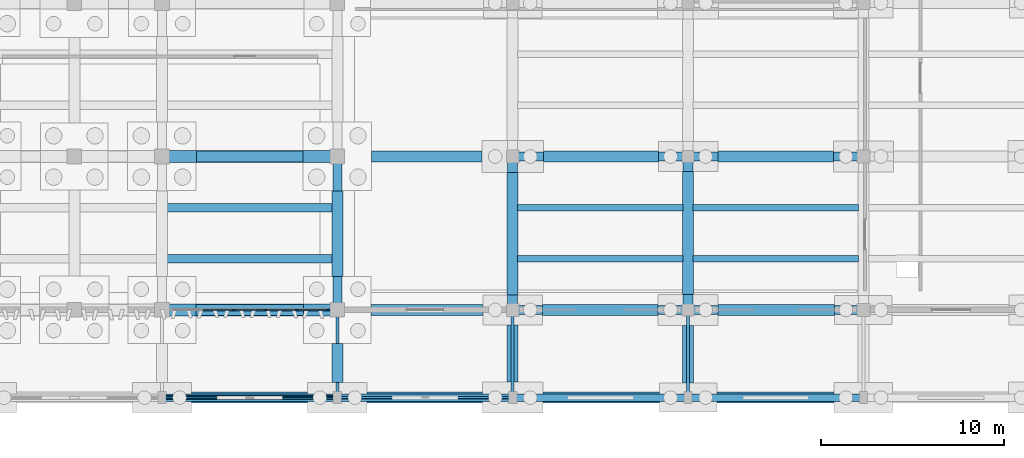
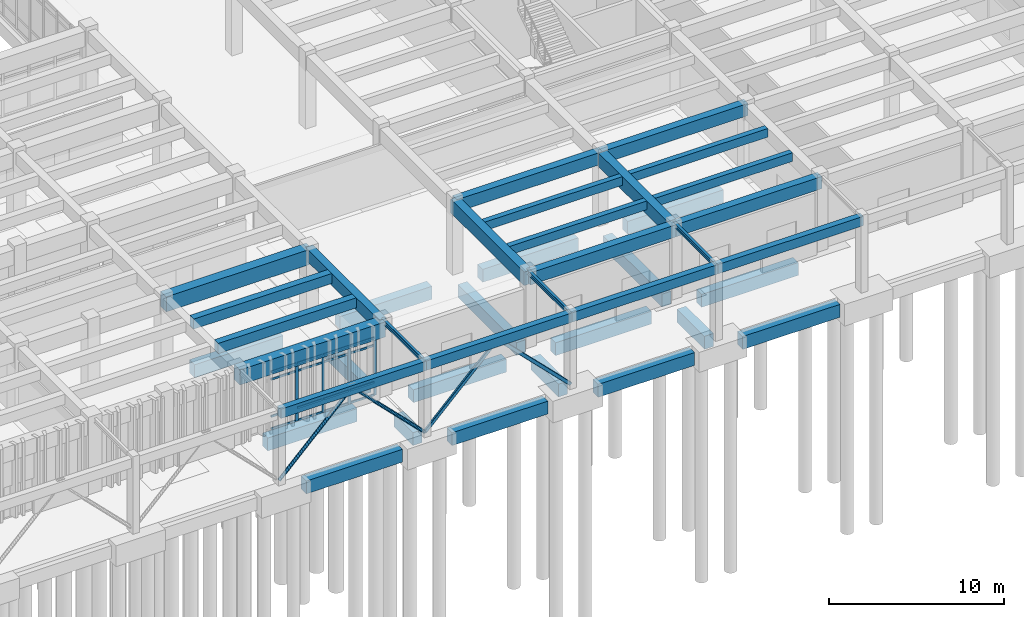
# One storey, part 41 of 102: 40 beams, 24 members, 1 element without a shape of its own.
"""IFC4 building model written with IfcOpenShell, lengths in metres."""

from ifc_helpers import new_model, si_unit, direction, frame, origin, origin_2d, place, context, subcontext, project, spatial, rectangle, hollow_rectangle, hollow_circle, i_section, extrude, material, layer, layer_set, material_profile, profile_set, type_object, element, aggregate, save


model = new_model("IFC4")

# Units and contexts
model_context = context("Model", 3, precision=1e-05, world=origin(), true_north=direction((0.0, 1.0)))
body_context = subcontext(model_context, "Body", "Model", "MODEL_VIEW")
ifc_project = project(units=[si_unit("LENGTHUNIT", "METRE"), si_unit("AREAUNIT", "SQUARE_METRE"), si_unit("VOLUMEUNIT", "CUBIC_METRE"), si_unit("PLANEANGLEUNIT", "RADIAN"), si_unit("MASSUNIT", "GRAM", prefix="KILO")], contexts=[model_context])

# Site, building, storey
site_placement = place(None, origin())
site = spatial("IfcSite", under=ifc_project, at=site_placement, CompositionType="ELEMENT")
building_placement = place(site_placement, origin())
building = spatial("IfcBuilding", under=site, at=building_placement, Name="Kolvemor Railside Polytechnic", CompositionType="ELEMENT")
storey_placement = place(building_placement, origin())
storey = spatial("IfcBuildingStorey", under=building, at=storey_placement, Name="L00", CompositionType="ELEMENT", Elevation=0.0)

# Beams
ifc_material_1 = material(Name="Concrete C40/50", Category="concrete")
ifc_material_profile_1 = material_profile(ifc_material_1, rectangle(XDim=0.39990234375, YDim=0.64990234375, at=origin_2d()), Name="RC400x650")
ifc_profile_set_1 = profile_set([ifc_material_profile_1], Name="Concrete C40/50")
beam_type_1 = type_object("IfcBeamType", Name="BM-RC-EDGE", PredefinedType="LINTEL", material=ifc_profile_set_1)
beam_1_placement = place(storey_placement, frame((124.800048828125, 0.0, 4.885009765625), z_axis=(1.0, 0.0, 0.0), x_axis=(0.0, 1.0, 0.0)))
element("IfcBeam", 1, at=beam_1_placement, inside=storey, type_object=beam_type_1, Name="Arcade Canopy Lintel Beam 1983", PredefinedType="LINTEL", context=body_context, shape_type="SweptSolid", body=[
    extrude(rectangle(XDim=0.39990234375, YDim=0.64990234375, at=origin_2d()), origin(), (0.0, 0.0, 1.0), 9.599853515625),
])
for number, where, z_axis, x_axis, name in (
    (2, (134.39990234375, 0.0, 4.885009765625), (1.0, 0.0, 0.0), (0.0, 1.0, 0.0), "Arcade Canopy Lintel Beam 1984"),
    (3, (144.0, 0.0, 4.885009765625), (1.0, 0.0, 0.0), (0.0, 1.0, 0.0), "Arcade Canopy Lintel Beam 1985"),
):
    element("IfcBeam", number, at=place(storey_placement, frame(where, z_axis=z_axis, x_axis=x_axis)), inside=storey, type_object=beam_type_1, Name=name, PredefinedType="LINTEL", context=body_context, shape_type="SweptSolid", body=[
        extrude(rectangle(XDim=0.39990234375, YDim=0.64990234375, at=origin_2d()), origin(), (0.0, 0.0, 1.0), 9.60009765625),
    ])
beam_2_placement = place(storey_placement, frame((153.60009765625, 0.0, 4.885009765625), z_axis=(1.0, 0.0, 0.0), x_axis=(0.0, 1.0, 0.0)))
element("IfcBeam", 4, at=beam_2_placement, inside=storey, type_object=beam_type_1, Name="Arcade Canopy Lintel Beam 1986", PredefinedType="LINTEL", context=body_context, shape_type="SweptSolid", body=[
    extrude(rectangle(XDim=0.39990234375, YDim=0.64990234375, at=origin_2d()), origin(), (0.0, 0.0, 1.0), 9.599853515625),
])
ifc_material_2 = material(Name="Concrete C40/50", Category="concrete")
ifc_material_profile_2 = material_profile(ifc_material_2, rectangle(XDim=0.550048828125, YDim=0.949951171875, at=origin_2d()), Name="RC550x950")
ifc_profile_set_2 = profile_set([ifc_material_profile_2], Name="Concrete C40/50")
beam_type_2 = type_object("IfcBeamType", Name="BM-RC-GIRD", PredefinedType="BEAM", material=ifc_profile_set_2)
for number, where, z_axis, x_axis, name in (
    (5, (144.0, 4.800048828125, 4.635009765625), (0.0, 1.0, 0.0), (-1.0, 0.0, 0.0), "Primary Girder L01-GY 0378"),
    (6, (153.60009765625, 4.800048828125, 4.635009765625), (0.0, 1.0, 0.0), (-1.0, 0.0, 0.0), "Primary Girder L01-GY 0387"),
):
    element("IfcBeam", number, at=place(storey_placement, frame(where, z_axis=z_axis, x_axis=x_axis)), inside=storey, type_object=beam_type_2, Name=name, PredefinedType="BEAM", context=body_context, shape_type="SweptSolid", body=[
        extrude(rectangle(XDim=0.550048828125, YDim=0.949951171875, at=origin_2d()), origin(), (0.0, 0.0, 1.0), 8.39990234375),
    ])
ifc_material_3 = material(Name="Concrete C40/50", Category="concrete")
ifc_material_profile_3 = material_profile(ifc_material_3, rectangle(XDim=0.64990234375, YDim=1.050048828125, at=origin_2d()), Name="RC650x1050")
ifc_profile_set_3 = profile_set([ifc_material_profile_3], Name="Concrete C40/50")
beam_type_3 = type_object("IfcBeamType", Name="BM-RC-GIRD2", PredefinedType="BEAM", material=ifc_profile_set_3)
for number, where, z_axis, x_axis, name in (
    (7, (124.800048828125, 4.800048828125, 4.5849609375), (1.0, 0.0, 0.0), (0.0, 1.0, 0.0), "Primary Girder L01-GX 0199"),
    (8, (124.800048828125, 13.199951171875, 4.5849609375), (1.0, 0.0, 0.0), (0.0, 1.0, 0.0), "Primary Girder L01-GX 0208"),
):
    element("IfcBeam", number, at=place(storey_placement, frame(where, z_axis=z_axis, x_axis=x_axis)), inside=storey, type_object=beam_type_3, Name=name, PredefinedType="BEAM", context=body_context, shape_type="SweptSolid", body=[
        extrude(rectangle(XDim=0.64990234375, YDim=1.050048828125, at=origin_2d()), origin(), (0.0, 0.0, 1.0), 9.599853515625),
    ])
ifc_material_4 = material(Name="Concrete C40/50", Category="concrete")
ifc_material_profile_4 = material_profile(ifc_material_4, rectangle(XDim=0.5, YDim=0.85009765625, at=origin_2d()), Name="RC500x850")
ifc_profile_set_4 = profile_set([ifc_material_profile_4], Name="Concrete C40/50")
beam_type_4 = type_object("IfcBeamType", Name="BM-RC-GIRD3", PredefinedType="BEAM", material=ifc_profile_set_4)
beam_3_placement = place(storey_placement, frame((134.39990234375, 4.800048828125, 4.68505859375), z_axis=(0.0, 1.0, 0.0), x_axis=(-1.0, 0.0, 0.0)))
element("IfcBeam", 9, at=beam_3_placement, inside=storey, type_object=beam_type_4, Name="Primary Girder L01-GY 0268", PredefinedType="BEAM", context=body_context, shape_type="SweptSolid", body=[
    extrude(rectangle(XDim=0.5, YDim=0.85009765625, at=origin_2d()), origin(), (0.0, 0.0, 1.0), 8.39990234375),
])
beam_4_placement = place(storey_placement, frame((144.0, 4.800048828125, 4.68505859375), z_axis=(1.0, 0.0, 0.0), x_axis=(0.0, 1.0, 0.0)))
element("IfcBeam", 10, at=beam_4_placement, inside=storey, type_object=beam_type_4, Name="Primary Girder L01-GX 0338", PredefinedType="BEAM", context=body_context, shape_type="SweptSolid", body=[
    extrude(rectangle(XDim=0.5, YDim=0.85009765625, at=origin_2d()), origin(), (0.0, 0.0, 1.0), 9.60009765625),
])
beam_5_placement = place(storey_placement, frame((153.60009765625, 4.800048828125, 4.68505859375), z_axis=(1.0, 0.0, 0.0), x_axis=(0.0, 1.0, 0.0)))
element("IfcBeam", 11, at=beam_5_placement, inside=storey, type_object=beam_type_4, Name="Primary Girder L01-GX 0339", PredefinedType="BEAM", context=body_context, shape_type="SweptSolid", body=[
    extrude(rectangle(XDim=0.5, YDim=0.85009765625, at=origin_2d()), origin(), (0.0, 0.0, 1.0), 9.599853515625),
])
beam_6_placement = place(storey_placement, frame((144.0, 13.199951171875, 4.68505859375), z_axis=(1.0, 0.0, 0.0), x_axis=(0.0, 1.0, 0.0)))
element("IfcBeam", 12, at=beam_6_placement, inside=storey, type_object=beam_type_4, Name="Primary Girder L01-GX 0342", PredefinedType="BEAM", context=body_context, shape_type="SweptSolid", body=[
    extrude(rectangle(XDim=0.5, YDim=0.85009765625, at=origin_2d()), origin(), (0.0, 0.0, 1.0), 9.60009765625),
])
beam_7_placement = place(storey_placement, frame((153.60009765625, 13.199951171875, 4.68505859375), z_axis=(1.0, 0.0, 0.0), x_axis=(0.0, 1.0, 0.0)))
element("IfcBeam", 13, at=beam_7_placement, inside=storey, type_object=beam_type_4, Name="Primary Girder L01-GX 0343", PredefinedType="BEAM", context=body_context, shape_type="SweptSolid", body=[
    extrude(rectangle(XDim=0.5, YDim=0.85009765625, at=origin_2d()), origin(), (0.0, 0.0, 1.0), 9.599853515625),
])
ifc_material_5 = material(Name="Concrete C40/50", Category="concrete")
ifc_material_profile_5 = material_profile(ifc_material_5, rectangle(XDim=0.449951171875, YDim=0.699951171875, at=origin_2d()), Name="RC450x700")
ifc_profile_set_5 = profile_set([ifc_material_profile_5], Name="Concrete C40/50")
beam_type_5 = type_object("IfcBeamType", Name="BM-RC-SEC2", PredefinedType="JOIST", material=ifc_profile_set_5)
for number, where, z_axis, x_axis, name in (
    (14, (125.050048828125, 7.60009765625, 4.760009765625), (1.0, 0.0, 0.0), (0.0, 1.0, 0.0), "Floor Joist L01-J0330"),
    (15, (125.050048828125, 10.39990234375, 4.760009765625), (1.0, 0.0, 0.0), (0.0, 1.0, 0.0), "Floor Joist L01-J0331"),
):
    element("IfcBeam", number, at=place(storey_placement, frame(where, z_axis=z_axis, x_axis=x_axis)), inside=storey, type_object=beam_type_5, Name=name, PredefinedType="JOIST", context=body_context, shape_type="SweptSolid", body=[
        extrude(rectangle(XDim=0.449951171875, YDim=0.699951171875, at=origin_2d()), origin(), (0.0, 0.0, 1.0), 9.099853515625),
    ])
ifc_material_6 = material(Name="Concrete C40/50", Category="concrete")
ifc_material_profile_6 = material_profile(ifc_material_6, rectangle(XDim=0.35009765625, YDim=0.60009765625, at=origin_2d()), Name="RC350x600")
ifc_profile_set_6 = profile_set([ifc_material_profile_6], Name="Concrete C40/50")
beam_type_6 = type_object("IfcBeamType", Name="BM-RC-SEC3", PredefinedType="JOIST", material=ifc_profile_set_6)
for number, where, z_axis, x_axis, name in (
    (16, (144.27490234375, 7.60009765625, 4.81005859375), (1.0, 0.0, 0.0), (0.0, 1.0, 0.0), "Floor Joist L01-J0423"),
    (17, (144.27490234375, 10.39990234375, 4.81005859375), (1.0, 0.0, 0.0), (0.0, 1.0, 0.0), "Floor Joist L01-J0424"),
    (18, (153.875, 7.60009765625, 4.81005859375), (1.0, 0.0, 0.0), (0.0, 1.0, 0.0), "Floor Joist L01-J0441"),
    (19, (153.875, 10.39990234375, 4.81005859375), (1.0, 0.0, 0.0), (0.0, 1.0, 0.0), "Floor Joist L01-J0442"),
):
    element("IfcBeam", number, at=place(storey_placement, frame(where, z_axis=z_axis, x_axis=x_axis)), inside=storey, type_object=beam_type_6, Name=name, PredefinedType="JOIST", context=body_context, shape_type="SweptSolid", body=[
        extrude(rectangle(XDim=0.35009765625, YDim=0.60009765625, at=origin_2d()), origin(), (0.0, 0.0, 1.0), 9.050048828125),
    ])
ifc_material_7 = material(Name="Concrete C40/50", Category="concrete")
ifc_material_profile_7 = material_profile(ifc_material_7, rectangle(XDim=0.60009765625, YDim=0.89990234375, at=origin_2d()), Name="RC600x900")
ifc_profile_set_7 = profile_set([ifc_material_profile_7], Name="Concrete C40/50")
beam_type_7 = type_object("IfcBeamType", Name="BM-RC-TIE", PredefinedType="BEAM", material=ifc_profile_set_7)
beam_8_placement = place(storey_placement, frame((126.427001953125, 0.0, -0.75), z_axis=(1.0, 0.0, 0.0), x_axis=(0.0, 1.0, 0.0)))
element("IfcBeam", 20, at=beam_8_placement, inside=storey, type_object=beam_type_7, Name="Ground Tie Beam GTB-X014", PredefinedType="BEAM", context=body_context, shape_type="SweptSolid", body=[
    extrude(rectangle(XDim=0.60009765625, YDim=0.89990234375, at=origin_2d()), origin(), (0.0, 0.0, 1.0), 6.345947265625),
])
beam_9_placement = place(storey_placement, frame((136.027099609375, 0.0, -0.75), z_axis=(1.0, 0.0, 0.0), x_axis=(0.0, 1.0, 0.0)))
element("IfcBeam", 21, at=beam_9_placement, inside=storey, type_object=beam_type_7, Name="Ground Tie Beam GTB-X015", PredefinedType="BEAM", context=body_context, shape_type="SweptSolid", body=[
    extrude(rectangle(XDim=0.60009765625, YDim=0.89990234375, at=origin_2d()), origin(), (0.0, 0.0, 1.0), 6.32080078125),
])
beam_10_placement = place(storey_placement, frame((145.652099609375, 0.0, -0.75), z_axis=(1.0, 0.0, 0.0), x_axis=(0.0, 1.0, 0.0)))
element("IfcBeam", 22, at=beam_10_placement, inside=storey, type_object=beam_type_7, Name="Ground Tie Beam GTB-X016", PredefinedType="BEAM", context=body_context, shape_type="SweptSolid", body=[
    extrude(rectangle(XDim=0.60009765625, YDim=0.89990234375, at=origin_2d()), origin(), (0.0, 0.0, 1.0), 6.370849609375),
])
beam_11_placement = place(storey_placement, frame((155.177001953125, 0.0, -0.75), z_axis=(1.0, 0.0, 0.0), x_axis=(0.0, 1.0, 0.0)))
element("IfcBeam", 23, at=beam_11_placement, inside=storey, type_object=beam_type_7, Name="Ground Tie Beam GTB-X017", PredefinedType="BEAM", context=body_context, shape_type="SweptSolid", body=[
    extrude(rectangle(XDim=0.60009765625, YDim=0.89990234375, at=origin_2d()), origin(), (0.0, 0.0, 1.0), 6.4208984375),
])
beam_12_placement = place(storey_placement, frame((126.652099609375, 4.800048828125, -0.75), z_axis=(1.0, 0.0, 0.0), x_axis=(0.0, 1.0, 0.0)))
element("IfcBeam", 24, at=beam_12_placement, inside=storey, type_object=beam_type_7, Name="Ground Tie Beam GTB-X038", PredefinedType="BEAM", context=body_context, shape_type="SweptSolid", body=[
    extrude(rectangle(XDim=0.60009765625, YDim=0.89990234375, at=origin_2d()), origin(), (0.0, 0.0, 1.0), 5.89599609375),
])
beam_13_placement = place(storey_placement, frame((136.251953125, 4.800048828125, -0.75), z_axis=(1.0, 0.0, 0.0), x_axis=(0.0, 1.0, 0.0)))
element("IfcBeam", 25, at=beam_13_placement, inside=storey, type_object=beam_type_7, Name="Ground Tie Beam GTB-X039", PredefinedType="BEAM", context=body_context, shape_type="SweptSolid", body=[
    extrude(rectangle(XDim=0.60009765625, YDim=0.89990234375, at=origin_2d()), origin(), (0.0, 0.0, 1.0), 6.12109375),
])
beam_14_placement = place(storey_placement, frame((145.626953125, 4.800048828125, -0.75), z_axis=(1.0, 0.0, 0.0), x_axis=(0.0, 1.0, 0.0)))
element("IfcBeam", 26, at=beam_14_placement, inside=storey, type_object=beam_type_7, Name="Ground Tie Beam GTB-X040", PredefinedType="BEAM", context=body_context, shape_type="SweptSolid", body=[
    extrude(rectangle(XDim=0.60009765625, YDim=0.89990234375, at=origin_2d()), origin(), (0.0, 0.0, 1.0), 6.321044921875),
])
beam_15_placement = place(storey_placement, frame((155.251953125, 4.800048828125, -0.75), z_axis=(1.0, 0.0, 0.0), x_axis=(0.0, 1.0, 0.0)))
element("IfcBeam", 27, at=beam_15_placement, inside=storey, type_object=beam_type_7, Name="Ground Tie Beam GTB-X041", PredefinedType="BEAM", context=body_context, shape_type="SweptSolid", body=[
    extrude(rectangle(XDim=0.60009765625, YDim=0.89990234375, at=origin_2d()), origin(), (0.0, 0.0, 1.0), 6.37109375),
])
beam_16_placement = place(storey_placement, frame((126.677001953125, 13.199951171875, -0.75), z_axis=(1.0, 0.0, 0.0), x_axis=(0.0, 1.0, 0.0)))
element("IfcBeam", 28, at=beam_16_placement, inside=storey, type_object=beam_type_7, Name="Ground Tie Beam GTB-X059", PredefinedType="BEAM", context=body_context, shape_type="SweptSolid", body=[
    extrude(rectangle(XDim=0.60009765625, YDim=0.89990234375, at=origin_2d()), origin(), (0.0, 0.0, 1.0), 5.845947265625),
])
beam_17_placement = place(storey_placement, frame((136.277099609375, 13.199951171875, -0.75), z_axis=(1.0, 0.0, 0.0), x_axis=(0.0, 1.0, 0.0)))
element("IfcBeam", 29, at=beam_17_placement, inside=storey, type_object=beam_type_7, Name="Ground Tie Beam GTB-X060", PredefinedType="BEAM", context=body_context, shape_type="SweptSolid", body=[
    extrude(rectangle(XDim=0.60009765625, YDim=0.89990234375, at=origin_2d()), origin(), (0.0, 0.0, 1.0), 6.0458984375),
])
beam_18_placement = place(storey_placement, frame((145.677001953125, 13.199951171875, -0.75), z_axis=(1.0, 0.0, 0.0), x_axis=(0.0, 1.0, 0.0)))
element("IfcBeam", 30, at=beam_18_placement, inside=storey, type_object=beam_type_7, Name="Ground Tie Beam GTB-X061", PredefinedType="BEAM", context=body_context, shape_type="SweptSolid", body=[
    extrude(rectangle(XDim=0.60009765625, YDim=0.89990234375, at=origin_2d()), origin(), (0.0, 0.0, 1.0), 6.2958984375),
])
beam_19_placement = place(storey_placement, frame((155.22705078125, 13.199951171875, -0.75), z_axis=(1.0, 0.0, 0.0), x_axis=(0.0, 1.0, 0.0)))
element("IfcBeam", 31, at=beam_19_placement, inside=storey, type_object=beam_type_7, Name="Ground Tie Beam GTB-X062", PredefinedType="BEAM", context=body_context, shape_type="SweptSolid", body=[
    extrude(rectangle(XDim=0.60009765625, YDim=0.89990234375, at=origin_2d()), origin(), (0.0, 0.0, 1.0), 6.321044921875),
])
beam_20_placement = place(storey_placement, frame((134.39990234375, 0.826904296875, -0.75), z_axis=(0.0, 1.0, 0.0), x_axis=(-1.0, 0.0, 0.0)))
element("IfcBeam", 32, at=beam_20_placement, inside=storey, type_object=beam_type_7, Name="Ground Tie Beam GTB-Y378", PredefinedType="BEAM", context=body_context, shape_type="SweptSolid", body=[
    extrude(rectangle(XDim=0.60009765625, YDim=0.89990234375, at=origin_2d()), origin(), (0.0, 0.0, 1.0), 2.14599609375),
])
beam_21_placement = place(storey_placement, frame((134.39990234375, 6.626953125, -0.75), z_axis=(0.0, 1.0, 0.0), x_axis=(-1.0, 0.0, 0.0)))
element("IfcBeam", 33, at=beam_21_placement, inside=storey, type_object=beam_type_7, Name="Ground Tie Beam GTB-Y379", PredefinedType="BEAM", context=body_context, shape_type="SweptSolid", body=[
    extrude(rectangle(XDim=0.60009765625, YDim=0.89990234375, at=origin_2d()), origin(), (0.0, 0.0, 1.0), 4.696044921875),
])
beam_22_placement = place(storey_placement, frame((144.0, 0.85205078125, -0.75), z_axis=(0.0, 1.0, 0.0), x_axis=(-1.0, 0.0, 0.0)))
element("IfcBeam", 34, at=beam_22_placement, inside=storey, type_object=beam_type_7, Name="Ground Tie Beam GTB-Y391", PredefinedType="BEAM", context=body_context, shape_type="SweptSolid", body=[
    extrude(rectangle(XDim=0.60009765625, YDim=0.89990234375, at=origin_2d()), origin(), (0.0, 0.0, 1.0), 3.120849609375),
])
beam_23_placement = place(storey_placement, frame((144.0, 5.626953125, -0.75), z_axis=(0.0, 1.0, 0.0), x_axis=(-1.0, 0.0, 0.0)))
element("IfcBeam", 35, at=beam_23_placement, inside=storey, type_object=beam_type_7, Name="Ground Tie Beam GTB-Y392", PredefinedType="BEAM", context=body_context, shape_type="SweptSolid", body=[
    extrude(rectangle(XDim=0.60009765625, YDim=0.89990234375, at=origin_2d()), origin(), (0.0, 0.0, 1.0), 6.696044921875),
])
beam_24_placement = place(storey_placement, frame((153.60009765625, 0.802001953125, -0.75), z_axis=(0.0, 1.0, 0.0), x_axis=(-1.0, 0.0, 0.0)))
element("IfcBeam", 36, at=beam_24_placement, inside=storey, type_object=beam_type_7, Name="Ground Tie Beam GTB-Y404", PredefinedType="BEAM", context=body_context, shape_type="SweptSolid", body=[
    extrude(rectangle(XDim=0.60009765625, YDim=0.89990234375, at=origin_2d()), origin(), (0.0, 0.0, 1.0), 3.14599609375),
])
beam_25_placement = place(storey_placement, frame((153.60009765625, 5.652099609375, -0.75), z_axis=(0.0, 1.0, 0.0), x_axis=(-1.0, 0.0, 0.0)))
element("IfcBeam", 37, at=beam_25_placement, inside=storey, type_object=beam_type_7, Name="Ground Tie Beam GTB-Y405", PredefinedType="BEAM", context=body_context, shape_type="SweptSolid", body=[
    extrude(rectangle(XDim=0.60009765625, YDim=0.89990234375, at=origin_2d()), origin(), (0.0, 0.0, 1.0), 6.720947265625),
])
ifc_material_8 = material(Name="Steel S355", Category="steel")
ifc_material_profile_8 = material_profile(ifc_material_8, i_section(OverallWidth=0.166015625, OverallDepth=0.31298828125, WebThickness=0.006591796875, FlangeThickness=0.01123046875, FilletRadius=0.010009765625, at=origin_2d()), Name="W310x45")
ifc_profile_set_8 = profile_set([ifc_material_profile_8], Name="Steel S355")
beam_type_8 = type_object("IfcBeamType", Name="BM-ST-SUB", PredefinedType="BEAM", material=ifc_profile_set_8)
for number, where, z_axis, x_axis, name in (
    (38, (134.39990234375, 0.0, 5.052978515625), (0.0, 1.0, 0.0), (-1.0, 0.0, 0.0), "Arcade Outrigger Collector Beam 1998"),
    (39, (144.0, 0.0, 5.052978515625), (0.0, 1.0, 0.0), (-1.0, 0.0, 0.0), "Arcade Outrigger Collector Beam 1999"),
    (40, (153.60009765625, 0.0, 5.052978515625), (0.0, 1.0, 0.0), (-1.0, 0.0, 0.0), "Arcade Outrigger Collector Beam 2000"),
):
    element("IfcBeam", number, at=place(storey_placement, frame(where, z_axis=z_axis, x_axis=x_axis)), inside=storey, type_object=beam_type_8, Name=name, PredefinedType="BEAM", context=body_context, shape_type="SweptSolid", body=[
        extrude(i_section(OverallWidth=0.166015625, OverallDepth=0.31298828125, WebThickness=0.006591796875, FlangeThickness=0.01123046875, FilletRadius=0.010009765625, at=origin_2d()), origin(), (0.0, 0.0, 1.0), 4.800048828125),
    ])

# Curtain wall, members
ifc_material_9 = material(Name="Anodised marine aluminium and laminated low-E glass", Category="aluminium")
ifc_layer = layer(ifc_material_9, 0.179931640625, Name="CW-UNIT-STD")
ifc_layer_set = layer_set([ifc_layer], Name="Anodised marine aluminium and laminated low-E glass")
curtain_wall_type = type_object("IfcCurtainWallType", Name="CW-UNIT-STD", PredefinedType="USERDEFINED", material=ifc_layer_set)
curtain_wall_placement = place(storey_placement, origin())
curtain_wall = element("IfcCurtainWall", 41, at=curtain_wall_placement, inside=storey, type_object=curtain_wall_type, Name="Curtain Wall L00-095", ObjectType="UNITISED CURTAIN WALL", PredefinedType="USERDEFINED")
ifc_material_10 = material(Name="Anodised marine aluminium 6063-T6", Category="aluminium")
ifc_material_profile_9 = material_profile(ifc_material_10, rectangle(XDim=0.074951171875, YDim=0.179931640625, at=origin_2d()), Name="CW-MUL-75x180")
ifc_profile_set_9 = profile_set([ifc_material_profile_9], Name="Anodised marine aluminium 6063-T6")
member_type_1 = type_object("IfcMemberType", Name="CWM-75x180", PredefinedType="MULLION", material=ifc_profile_set_9)
member_1_placement = place(storey_placement, frame((128.73388671875, 4.800048828125, 0.0), z_axis=(0.0, 0.0, 1.0), x_axis=(0.0, 1.0, 0.0)))
member_1 = element("IfcMember", 42, at=member_1_placement, type_object=member_type_1, Name="CW-STD mullion 3", PredefinedType="MULLION", context=body_context, shape_type="SweptSolid", body=[
    extrude(rectangle(XDim=0.074951171875, YDim=0.179931640625, at=origin_2d()), origin(), (0.0, 0.0, 1.0), 4.0400390625),
])
member_2_placement = place(storey_placement, frame((130.466064453125, 4.800048828125, 0.0), z_axis=(0.0, 0.0, 1.0), x_axis=(0.0, 1.0, 0.0)))
member_2 = element("IfcMember", 43, at=member_2_placement, type_object=member_type_1, Name="CW-STD mullion 4", PredefinedType="MULLION", context=body_context, shape_type="SweptSolid", body=[
    extrude(rectangle(XDim=0.074951171875, YDim=0.179931640625, at=origin_2d()), origin(), (0.0, 0.0, 1.0), 4.0400390625),
])
member_3_placement = place(storey_placement, frame((132.197998046875, 4.800048828125, 0.0), z_axis=(0.0, 0.0, 1.0), x_axis=(0.0, 1.0, 0.0)))
member_3 = element("IfcMember", 44, at=member_3_placement, type_object=member_type_1, Name="CW-STD mullion 5", PredefinedType="MULLION", context=body_context, shape_type="SweptSolid", body=[
    extrude(rectangle(XDim=0.074951171875, YDim=0.179931640625, at=origin_2d()), origin(), (0.0, 0.0, 1.0), 4.0400390625),
])
member_4_placement = place(storey_placement, frame((133.892578125, 4.800048828125, 0.0), z_axis=(0.0, 0.0, 1.0), x_axis=(0.0, 1.0, 0.0)))
member_4 = element("IfcMember", 45, at=member_4_placement, type_object=member_type_1, Name="CW-STD mullion 6", PredefinedType="MULLION", context=body_context, shape_type="SweptSolid", body=[
    extrude(rectangle(XDim=0.074951171875, YDim=0.179931640625, at=origin_2d()), origin(), (0.0, 0.0, 1.0), 4.0400390625),
])
ifc_material_11 = material(Name="Anodised marine aluminium 6063-T6", Category="aluminium")
ifc_material_profile_10 = material_profile(ifc_material_11, rectangle(XDim=0.074951171875, YDim=0.139892578125, at=origin_2d()), Name="CW-TRN-75x140")
ifc_profile_set_10 = profile_set([ifc_material_profile_10], Name="Anodised marine aluminium 6063-T6")
member_type_2 = type_object("IfcMemberType", Name="CWT-75x140", PredefinedType="USERDEFINED", material=ifc_profile_set_10)
member_5_placement = place(storey_placement, frame((127.03955078125, 4.800048828125, 0.03759765625), z_axis=(1.0, 0.0, 0.0), x_axis=(0.0, 1.0, 0.0)))
member_5 = element("IfcMember", 46, at=member_5_placement, type_object=member_type_2, Name="CW-STD transom 2.1", ObjectType="TRANSOM", PredefinedType="USERDEFINED", context=body_context, shape_type="SweptSolid", body=[
    extrude(rectangle(XDim=0.074951171875, YDim=0.139892578125, at=origin_2d()), origin(), (0.0, 0.0, 1.0), 1.656982421875),
])
member_6_placement = place(storey_placement, frame((127.03955078125, 4.800048828125, 0.89990234375), z_axis=(1.0, 0.0, 0.0), x_axis=(0.0, 1.0, 0.0)))
member_6 = element("IfcMember", 47, at=member_6_placement, type_object=member_type_2, Name="CW-STD transom 2.2", ObjectType="TRANSOM", PredefinedType="USERDEFINED", context=body_context, shape_type="SweptSolid", body=[
    extrude(rectangle(XDim=0.074951171875, YDim=0.139892578125, at=origin_2d()), origin(), (0.0, 0.0, 1.0), 1.656982421875),
])
member_7_placement = place(storey_placement, frame((127.03955078125, 4.800048828125, 3.489990234375), z_axis=(1.0, 0.0, 0.0), x_axis=(0.0, 1.0, 0.0)))
member_7 = element("IfcMember", 48, at=member_7_placement, type_object=member_type_2, Name="CW-STD transom 2.3", ObjectType="TRANSOM", PredefinedType="USERDEFINED", context=body_context, shape_type="SweptSolid", body=[
    extrude(rectangle(XDim=0.074951171875, YDim=0.139892578125, at=origin_2d()), origin(), (0.0, 0.0, 1.0), 1.656982421875),
])
member_8_placement = place(storey_placement, frame((127.03955078125, 4.800048828125, 4.00244140625), z_axis=(1.0, 0.0, 0.0), x_axis=(0.0, 1.0, 0.0)))
member_8 = element("IfcMember", 49, at=member_8_placement, type_object=member_type_2, Name="CW-STD transom 2.4", ObjectType="TRANSOM", PredefinedType="USERDEFINED", context=body_context, shape_type="SweptSolid", body=[
    extrude(rectangle(XDim=0.074951171875, YDim=0.139892578125, at=origin_2d()), origin(), (0.0, 0.0, 1.0), 1.656982421875),
])
member_9_placement = place(storey_placement, frame((128.771484375, 4.800048828125, 0.03759765625), z_axis=(1.0, 0.0, 0.0), x_axis=(0.0, 1.0, 0.0)))
member_9 = element("IfcMember", 50, at=member_9_placement, type_object=member_type_2, Name="CW-STD transom 3.1", ObjectType="TRANSOM", PredefinedType="USERDEFINED", context=body_context, shape_type="SweptSolid", body=[
    extrude(rectangle(XDim=0.074951171875, YDim=0.139892578125, at=origin_2d()), origin(), (0.0, 0.0, 1.0), 1.656982421875),
])
member_10_placement = place(storey_placement, frame((128.771484375, 4.800048828125, 0.89990234375), z_axis=(1.0, 0.0, 0.0), x_axis=(0.0, 1.0, 0.0)))
member_10 = element("IfcMember", 51, at=member_10_placement, type_object=member_type_2, Name="CW-STD transom 3.2", ObjectType="TRANSOM", PredefinedType="USERDEFINED", context=body_context, shape_type="SweptSolid", body=[
    extrude(rectangle(XDim=0.074951171875, YDim=0.139892578125, at=origin_2d()), origin(), (0.0, 0.0, 1.0), 1.656982421875),
])
member_11_placement = place(storey_placement, frame((128.771484375, 4.800048828125, 3.489990234375), z_axis=(1.0, 0.0, 0.0), x_axis=(0.0, 1.0, 0.0)))
member_11 = element("IfcMember", 52, at=member_11_placement, type_object=member_type_2, Name="CW-STD transom 3.3", ObjectType="TRANSOM", PredefinedType="USERDEFINED", context=body_context, shape_type="SweptSolid", body=[
    extrude(rectangle(XDim=0.074951171875, YDim=0.139892578125, at=origin_2d()), origin(), (0.0, 0.0, 1.0), 1.656982421875),
])
member_12_placement = place(storey_placement, frame((128.771484375, 4.800048828125, 4.00244140625), z_axis=(1.0, 0.0, 0.0), x_axis=(0.0, 1.0, 0.0)))
member_12 = element("IfcMember", 53, at=member_12_placement, type_object=member_type_2, Name="CW-STD transom 3.4", ObjectType="TRANSOM", PredefinedType="USERDEFINED", context=body_context, shape_type="SweptSolid", body=[
    extrude(rectangle(XDim=0.074951171875, YDim=0.139892578125, at=origin_2d()), origin(), (0.0, 0.0, 1.0), 1.656982421875),
])
member_13_placement = place(storey_placement, frame((130.50341796875, 4.800048828125, 0.03759765625), z_axis=(1.0, 0.0, 0.0), x_axis=(0.0, 1.0, 0.0)))
member_13 = element("IfcMember", 54, at=member_13_placement, type_object=member_type_2, Name="CW-STD transom 4.1", ObjectType="TRANSOM", PredefinedType="USERDEFINED", context=body_context, shape_type="SweptSolid", body=[
    extrude(rectangle(XDim=0.074951171875, YDim=0.139892578125, at=origin_2d()), origin(), (0.0, 0.0, 1.0), 1.656982421875),
])
member_14_placement = place(storey_placement, frame((130.50341796875, 4.800048828125, 0.89990234375), z_axis=(1.0, 0.0, 0.0), x_axis=(0.0, 1.0, 0.0)))
member_14 = element("IfcMember", 55, at=member_14_placement, type_object=member_type_2, Name="CW-STD transom 4.2", ObjectType="TRANSOM", PredefinedType="USERDEFINED", context=body_context, shape_type="SweptSolid", body=[
    extrude(rectangle(XDim=0.074951171875, YDim=0.139892578125, at=origin_2d()), origin(), (0.0, 0.0, 1.0), 1.656982421875),
])
member_15_placement = place(storey_placement, frame((130.50341796875, 4.800048828125, 3.489990234375), z_axis=(1.0, 0.0, 0.0), x_axis=(0.0, 1.0, 0.0)))
member_15 = element("IfcMember", 56, at=member_15_placement, type_object=member_type_2, Name="CW-STD transom 4.3", ObjectType="TRANSOM", PredefinedType="USERDEFINED", context=body_context, shape_type="SweptSolid", body=[
    extrude(rectangle(XDim=0.074951171875, YDim=0.139892578125, at=origin_2d()), origin(), (0.0, 0.0, 1.0), 1.656982421875),
])
member_16_placement = place(storey_placement, frame((130.50341796875, 4.800048828125, 4.00244140625), z_axis=(1.0, 0.0, 0.0), x_axis=(0.0, 1.0, 0.0)))
member_16 = element("IfcMember", 57, at=member_16_placement, type_object=member_type_2, Name="CW-STD transom 4.4", ObjectType="TRANSOM", PredefinedType="USERDEFINED", context=body_context, shape_type="SweptSolid", body=[
    extrude(rectangle(XDim=0.074951171875, YDim=0.139892578125, at=origin_2d()), origin(), (0.0, 0.0, 1.0), 1.656982421875),
])
member_17_placement = place(storey_placement, frame((132.235595703125, 4.800048828125, 0.03759765625), z_axis=(1.0, 0.0, 0.0), x_axis=(0.0, 1.0, 0.0)))
member_17 = element("IfcMember", 58, at=member_17_placement, type_object=member_type_2, Name="CW-STD transom 5.1", ObjectType="TRANSOM", PredefinedType="USERDEFINED", context=body_context, shape_type="SweptSolid", body=[
    extrude(rectangle(XDim=0.074951171875, YDim=0.139892578125, at=origin_2d()), origin(), (0.0, 0.0, 1.0), 1.619384765625),
])
member_18_placement = place(storey_placement, frame((132.235595703125, 4.800048828125, 0.89990234375), z_axis=(1.0, 0.0, 0.0), x_axis=(0.0, 1.0, 0.0)))
member_18 = element("IfcMember", 59, at=member_18_placement, type_object=member_type_2, Name="CW-STD transom 5.2", ObjectType="TRANSOM", PredefinedType="USERDEFINED", context=body_context, shape_type="SweptSolid", body=[
    extrude(rectangle(XDim=0.074951171875, YDim=0.139892578125, at=origin_2d()), origin(), (0.0, 0.0, 1.0), 1.619384765625),
])
member_19_placement = place(storey_placement, frame((132.235595703125, 4.800048828125, 3.489990234375), z_axis=(1.0, 0.0, 0.0), x_axis=(0.0, 1.0, 0.0)))
member_19 = element("IfcMember", 60, at=member_19_placement, type_object=member_type_2, Name="CW-STD transom 5.3", ObjectType="TRANSOM", PredefinedType="USERDEFINED", context=body_context, shape_type="SweptSolid", body=[
    extrude(rectangle(XDim=0.074951171875, YDim=0.139892578125, at=origin_2d()), origin(), (0.0, 0.0, 1.0), 1.619384765625),
])
member_20_placement = place(storey_placement, frame((132.235595703125, 4.800048828125, 4.00244140625), z_axis=(1.0, 0.0, 0.0), x_axis=(0.0, 1.0, 0.0)))
member_20 = element("IfcMember", 61, at=member_20_placement, type_object=member_type_2, Name="CW-STD transom 5.4", ObjectType="TRANSOM", PredefinedType="USERDEFINED", context=body_context, shape_type="SweptSolid", body=[
    extrude(rectangle(XDim=0.074951171875, YDim=0.139892578125, at=origin_2d()), origin(), (0.0, 0.0, 1.0), 1.619384765625),
])
aggregate(curtain_wall, [member_1, member_2, member_3, member_4, member_5, member_6, member_7, member_8, member_9, member_10, member_11, member_12, member_13, member_14, member_15, member_16, member_17, member_18, member_19, member_20])

# Members
ifc_material_12 = material(Name="Steel S355", Category="steel")
ifc_material_profile_11 = material_profile(ifc_material_12, hollow_circle(Radius=0.109619140625, WallThickness=0.010009765625, at=origin_2d()), Name="CHS219.1x10")
ifc_profile_set_11 = profile_set([ifc_material_profile_11], Name="Steel S355")
member_type_3 = type_object("IfcMemberType", Name="MEM-BR-CHS1", PredefinedType="BRACE", material=ifc_profile_set_11)
member_21_placement = place(storey_placement, frame((124.800048828125, 0.0, 0.14990234375), z_axis=(0.707106781187, 0.0, 0.707106781187), x_axis=(0.0, 1.0, 0.0)))
element("IfcMember", 62, at=member_21_placement, inside=storey, type_object=member_type_3, Name="Wind Chevron Brace BR-23A", PredefinedType="BRACE", context=body_context, shape_type="SweptSolid", body=[
    extrude(hollow_circle(Radius=0.109619140625, WallThickness=0.010009765625, at=origin_2d()), origin(), (0.0, 0.0, 1.0), 6.788330078125),
])
member_22_placement = place(storey_placement, frame((134.39990234375, 0.0, 0.14990234375), z_axis=(-0.707088798028, 0.0, 0.707124763888), x_axis=(0.0, -1.0, 0.0)))
element("IfcMember", 63, at=member_22_placement, inside=storey, type_object=member_type_3, Name="Wind Chevron Brace BR-23B", PredefinedType="BRACE", context=body_context, shape_type="SweptSolid", body=[
    extrude(hollow_circle(Radius=0.109619140625, WallThickness=0.010009765625, at=origin_2d()), origin(), (0.0, 0.0, 1.0), 6.7880859375),
])
ifc_material_13 = material(Name="Steel S355", Category="steel")
ifc_material_profile_12 = material_profile(ifc_material_13, hollow_rectangle(XDim=0.139892578125, YDim=0.219970703125, WallThickness=0.010009765625, InnerFilletRadius=0.010009765625, OuterFilletRadius=0.02001953125, at=origin_2d()), Name="HSS220x140x10")
ifc_profile_set_12 = profile_set([ifc_material_profile_12], Name="Steel S355")
member_type_4 = type_object("IfcMemberType", Name="MEM-BR-HSS3", PredefinedType="BRACE", material=ifc_profile_set_12)
for number, where, z_axis, x_axis, name in (
    (64, (134.39990234375, 0.0, 0.14990234375), (0.707106781187, 0.0, 0.707106781187), (0.0, 1.0, 0.0), "Wind Chevron Brace BR-19A"),
    (65, (144.0, 0.0, 0.14990234375), (-0.707106781187, 0.0, 0.707106781187), (0.0, -1.0, 0.0), "Wind Chevron Brace BR-19B"),
):
    element("IfcMember", number, at=place(storey_placement, frame(where, z_axis=z_axis, x_axis=x_axis)), inside=storey, type_object=member_type_4, Name=name, PredefinedType="BRACE", context=body_context, shape_type="SweptSolid", body=[
        extrude(hollow_rectangle(XDim=0.139892578125, YDim=0.219970703125, WallThickness=0.010009765625, InnerFilletRadius=0.010009765625, OuterFilletRadius=0.02001953125, at=origin_2d()), origin(), (0.0, 0.0, 1.0), 6.788330078125),
    ])

save(model, "model.ifc")
